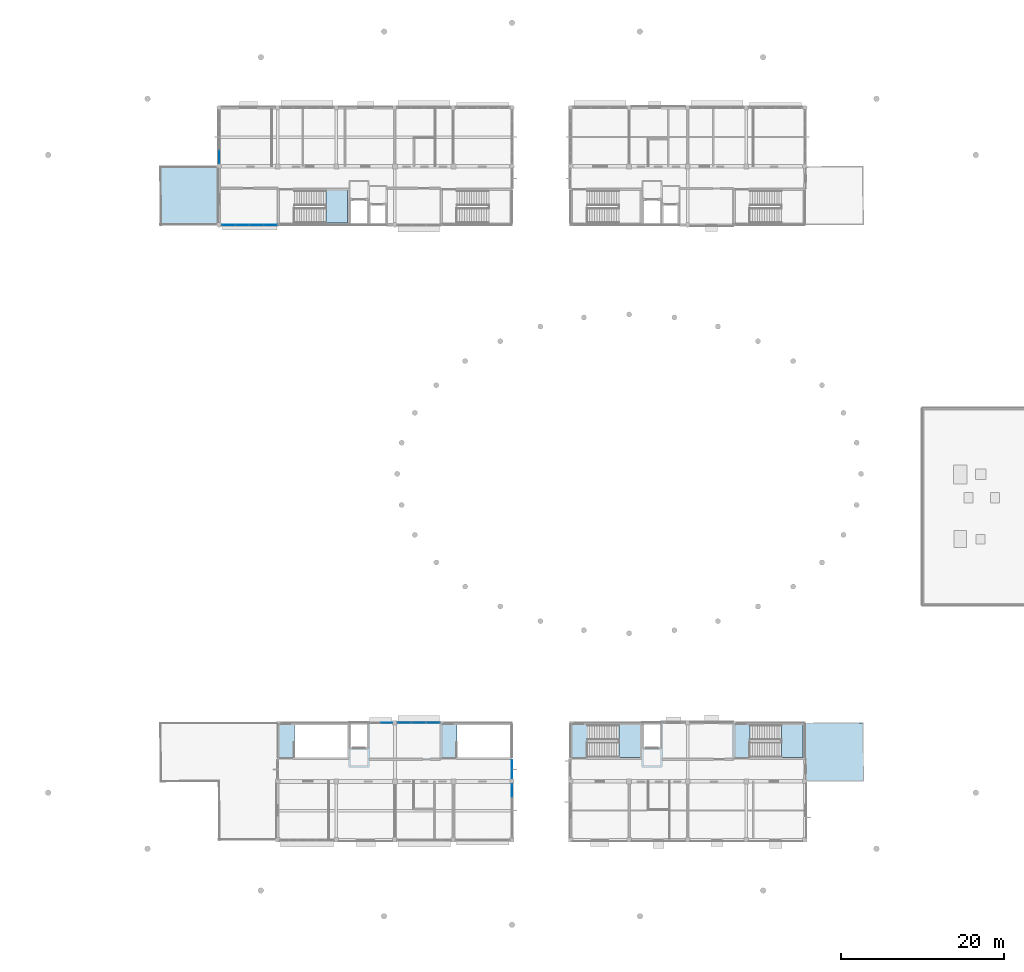
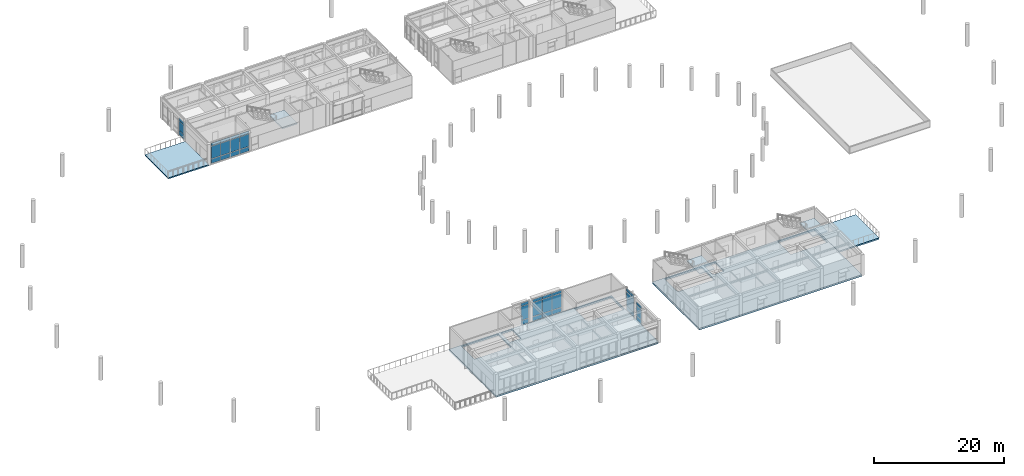
# One storey, part 14 of 41: 33 plates, 7 slabs, 9 elements without a shape of their own.
"""IFC4 building model written with IfcOpenShell, lengths in metres."""

import ifcopenshell
import ifcopenshell.guid

model = None  # the IFC model being written
_history = None  # IfcOwnerHistory: only IFC2X3 demands one
_inside = {}  # id of a spatial element -> (the spatial element, [elements in it])
_under = {}  # id of a project, library or spatial element -> (it, [spatial elements below it])
_declared = {}  # id of a project -> (the project, [libraries it declares])
_typed = {}  # id of a type object -> (the type object, [elements of that type])
_made_of = {}  # id of a material, layer set ... -> (it, [elements and type objects made of it])


def new_model(schema):
    """Start an empty IFC model of exactly this schema.

    Asked for "IFC4X3", IfcOpenShell would pick the latest addendum, in which some entities
    have other attributes; the version numbers below select the first issue.
    IFC2X3 requires an IfcOwnerHistory on every rooted entity: one is made here for all.
    """
    global model, _history
    if schema == "IFC4X3":
        model = ifcopenshell.file(schema_version=(4, 3, 0, 0))
    else:
        model = ifcopenshell.file(schema=schema)
    _inside.clear()
    _under.clear()
    _declared.clear()
    _typed.clear()
    _made_of.clear()
    _history = None
    if model.schema == "IFC2X3":
        org = make("IfcOrganization", Name="unknown")
        user = make(
            "IfcPersonAndOrganization",
            ThePerson=make("IfcPerson", FamilyName="unknown"),
            TheOrganization=org,
        )
        app = make(
            "IfcApplication",
            ApplicationDeveloper=org,
            Version="unknown",
            ApplicationFullName="unknown",
            ApplicationIdentifier="unknown",
        )
        _history = make(
            "IfcOwnerHistory",
            OwningUser=user,
            OwningApplication=app,
            ChangeAction="ADDED",
            CreationDate=0,
        )
    return model


def make(cls, **values):
    """One entity of the class cls with the attributes given. An attribute that is None is left unset."""
    return model.create_entity(
        cls, **{name: value for name, value in values.items() if value is not None}
    )


def rooted(cls, **values):
    """An entity with a GlobalId (a new one), such as an element, a storey or a relation."""
    return make(cls, GlobalId=ifcopenshell.guid.new(), OwnerHistory=_history, **values)


def si_unit(unit_type, name, prefix=None):
    """IfcSIUnit, for example si_unit("LENGTHUNIT", "METRE", prefix="MILLI")."""
    return make("IfcSIUnit", UnitType=unit_type, Prefix=prefix, Name=name)


def assignment(units):
    """IfcUnitAssignment: the units of a project."""
    return None if units is None else make("IfcUnitAssignment", Units=units)


def point(xyz):
    """IfcCartesianPoint."""
    return None if xyz is None else make("IfcCartesianPoint", Coordinates=xyz)


def direction(xyz):
    """IfcDirection."""
    return None if xyz is None else make("IfcDirection", DirectionRatios=xyz)


def frame(location, z_axis=None, x_axis=None):
    """IfcAxis2Placement3D, a coordinate frame: its origin and axes. An axis left out is left unset."""
    return make(
        "IfcAxis2Placement3D",
        Location=point(location),
        Axis=direction(z_axis),
        RefDirection=direction(x_axis),
    )


def frame_2d(location, x_axis=None):
    """IfcAxis2Placement2D, a coordinate frame in the plane: its origin and x axis."""
    return make(
        "IfcAxis2Placement2D", Location=point(location), RefDirection=direction(x_axis)
    )


def origin():
    """The frame at (0, 0, 0) with its axes left unset."""
    return frame((0.0, 0.0, 0.0))


def origin_2d():
    """The frame at (0, 0) in the plane with its x axis left unset."""
    return frame_2d((0.0, 0.0))


def place(relative_to, where):
    """IfcLocalPlacement: puts the frame where relative to a parent placement (None: the world)."""
    return make(
        "IfcLocalPlacement", PlacementRelTo=relative_to, RelativePlacement=where
    )


def context(
    kind, dimensions, precision=None, world=None, true_north=None, identifier=None
):
    """IfcGeometricRepresentationContext, for example the 3D "Model" context."""
    return make(
        "IfcGeometricRepresentationContext",
        ContextIdentifier=identifier,
        ContextType=kind,
        CoordinateSpaceDimension=dimensions,
        Precision=precision,
        WorldCoordinateSystem=world,
        TrueNorth=true_north,
    )


def subcontext(parent, identifier, kind, view, scale=None):
    """IfcGeometricRepresentationSubContext, for example "Body" below "Model"."""
    return make(
        "IfcGeometricRepresentationSubContext",
        ContextIdentifier=identifier,
        ContextType=kind,
        ParentContext=parent,
        TargetScale=scale,
        TargetView=view,
    )


def project(units=None, contexts=None):
    """IfcProject with its units and contexts."""
    return rooted(
        "IfcProject",
        Name="project",
        RepresentationContexts=contexts,
        UnitsInContext=assignment(units),
    )


def spatial(cls, under=None, at=None, **own):
    """A site, building, storey or space (cls), placed at a placement, below another one or the project."""
    s = rooted(cls, ObjectPlacement=at, **own)
    if under is not None:
        _under.setdefault(under.id(), (under, []))[1].append(s)
    return s


def polyline(points):
    """IfcPolyline through the points."""
    return make("IfcPolyline", Points=[point(p) for p in points])


def profile(cls, at=None, kind="AREA", **sizes):
    """A parametric profile (cls). Its sizes go by their IFC names, for example OverallWidth=200.0."""
    return make(cls, ProfileType=kind, Position=at, **sizes)


def rectangle(**sizes):
    """IfcRectangleProfileDef."""
    return profile("IfcRectangleProfileDef", **sizes)


def outline(outer, holes=None, kind="AREA"):
    """IfcArbitraryClosedProfileDef: a profile drawn as a closed curve; with holes, ...WithVoids."""
    if holes is None:
        return make("IfcArbitraryClosedProfileDef", ProfileType=kind, OuterCurve=outer)
    return make(
        "IfcArbitraryProfileDefWithVoids",
        ProfileType=kind,
        OuterCurve=outer,
        InnerCurves=holes,
    )


def extrude(swept, where, along, depth):
    """IfcExtrudedAreaSolid: the profile swept, set in the frame where, extruded along a direction by depth."""
    return make(
        "IfcExtrudedAreaSolid",
        SweptArea=swept,
        Position=where,
        ExtrudedDirection=direction(along),
        Depth=depth,
    )


def shape(context_of_items, identifier, shape_type, items):
    """IfcShapeRepresentation: the items that make up one representation, for example the "Body"."""
    return make(
        "IfcShapeRepresentation",
        ContextOfItems=context_of_items,
        RepresentationIdentifier=identifier,
        RepresentationType=shape_type,
        Items=items,
    )


def material(Name=None, Category=None):
    """IfcMaterial."""
    return make("IfcMaterial", Name=Name, Category=Category)


def layer(
    of_material, thickness, ventilated=None, Name=None, Category=None, Priority=None
):
    """IfcMaterialLayer: one layer of a wall or slab, of a material (None: an air gap)."""
    return make(
        "IfcMaterialLayer",
        Material=of_material,
        LayerThickness=thickness,
        IsVentilated=ventilated,
        Name=Name,
        Category=Category,
        Priority=Priority,
    )


def layer_set(layers, Name=None):
    """IfcMaterialLayerSet."""
    return make("IfcMaterialLayerSet", MaterialLayers=layers, LayerSetName=Name)


def made_of(thing, what):
    """Note that an element or type object is made of a material, layer set ...; save() writes the relation."""
    if what is not None:
        _made_of.setdefault(what.id(), (what, []))[1].append(thing)
    return thing


def type_object(cls, material=None, **own):
    """A type object (cls), such as IfcWallType, which elements share."""
    return made_of(rooted(cls, **own), material)


def element(
    cls,
    number,
    at=None,
    inside=None,
    cuts=None,
    type_object=None,
    material=None,
    context=None,
    identifier="Body",
    shape_type=None,
    held_by="IfcProductDefinitionShape",
    body=None,
    shapes=None,
    **own,
):
    """One element of the class cls, such as IfcWall. Its Tag is "e" and its number.

    at: its placement. inside: the storey or other place that contains it. cuts: it is an
    opening in that element (IfcRelVoidsElement). A single representation is given by context,
    identifier, shape_type and body (its items); several are given by shapes. held_by: the class
    of the entity that holds the representations. save() writes the other relations.
    """
    e = rooted(cls, Tag="e%d" % number, ObjectPlacement=at, **own)
    if body is not None:
        shapes = [shape(context, identifier, shape_type, body)]
    if shapes is not None:
        e.Representation = make(held_by, Representations=shapes)
    if inside is not None:
        _inside.setdefault(inside.id(), (inside, []))[1].append(e)
    if cuts is not None:
        rooted(
            "IfcRelVoidsElement", RelatingBuildingElement=cuts, RelatedOpeningElement=e
        )
    if type_object is not None:
        _typed.setdefault(type_object.id(), (type_object, []))[1].append(e)
    return made_of(e, material)


def aggregate(whole, parts):
    """IfcRelAggregates: a whole, such as a stair, and the parts it consists of."""
    return rooted("IfcRelAggregates", RelatingObject=whole, RelatedObjects=parts)


def save(model, path):
    """Write the relations noted so far, then the file.

    IfcRelAggregates (storeys below a building ...), IfcRelContainedInSpatialStructure (elements
    in a storey), IfcRelDefinesByType, IfcRelAssociatesMaterial and IfcRelDeclares: one each for
    every whole, place, type object, material and project.
    """
    for whole, parts in _under.values():
        aggregate(whole, parts)
    for where, things in _inside.values():
        rooted(
            "IfcRelContainedInSpatialStructure",
            RelatedElements=things,
            RelatingStructure=where,
        )
    for kind, things in _typed.values():
        rooted("IfcRelDefinesByType", RelatedObjects=things, RelatingType=kind)
    for what, things in _made_of.values():
        rooted("IfcRelAssociatesMaterial", RelatedObjects=things, RelatingMaterial=what)
    for by, libraries in _declared.values():
        rooted("IfcRelDeclares", RelatingContext=by, RelatedDefinitions=libraries)
    model.write(path)


model = new_model("IFC4")

# Units and contexts
model_context = context("Model", 3, precision=1e-05, world=origin(), true_north=direction((0.0, 1.0)))
body_context = subcontext(model_context, "Body", "Model", "MODEL_VIEW")
ifc_project = project(units=[si_unit("LENGTHUNIT", "METRE"), si_unit("AREAUNIT", "SQUARE_METRE"), si_unit("VOLUMEUNIT", "CUBIC_METRE"), si_unit("PLANEANGLEUNIT", "RADIAN"), si_unit("MASSUNIT", "GRAM", prefix="KILO")], contexts=[model_context])

# Site, building, storey
site_placement = place(None, origin())
site = spatial("IfcSite", under=ifc_project, at=site_placement, CompositionType="ELEMENT")
building_placement = place(site_placement, origin())
building = spatial("IfcBuilding", under=site, at=building_placement, Name="Namkhue Oval Health Centre", CompositionType="ELEMENT")
storey_placement = place(building_placement, frame((0.0, 0.0, 13.800048828125)))
storey = spatial("IfcBuildingStorey", under=building, at=storey_placement, Name="L03", CompositionType="ELEMENT", Elevation=13.800048828125)

# Curtain wall, plates
ifc_material_1 = material(Name="Anodised aluminium EN AW-6063 T6", Category="aluminium")
ifc_layer_1 = layer(ifc_material_1, 0.159912109375)
ifc_layer_set_1 = layer_set([ifc_layer_1], Name="Anodised aluminium EN AW-6063 T6")
curtain_wall_type_1 = type_object("IfcCurtainWallType", Name="UNITISED CURTAIN WALL M1800", PredefinedType="NOTDEFINED", material=ifc_layer_set_1)
curtain_wall_1_placement = place(storey_placement, origin())
curtain_wall_1 = element("IfcCurtainWall", 1, at=curtain_wall_1_placement, inside=storey, type_object=curtain_wall_type_1, Name="Volume V2 L03 Unitised Curtain Wall 77", PredefinedType="NOTDEFINED")
ifc_material_2 = material(Name="Thermally broken low-E laminated double glazing", Category="glass")
ifc_layer_2 = layer(ifc_material_2, 0.02587890625)
ifc_layer_set_2 = layer_set([ifc_layer_2], Name="Thermally broken low-E laminated double glazing")
plate_type_1 = type_object("IfcPlateType", Name="CURTAIN WALL GLAZED PANEL 26", PredefinedType="CURTAIN_PANEL", material=ifc_layer_set_2)
plate_1_placement = place(storey_placement, frame((50.39990234375, 98.3486328125, 0.06494140625), z_axis=(0.0, 0.0, 1.0), x_axis=(0.0, -1.0, 0.0)))
plate_1 = element("IfcPlate", 2, at=plate_1_placement, type_object=plate_type_1, Name="CW-05 panel 4.1", PredefinedType="CURTAIN_PANEL", context=body_context, shape_type="SweptSolid", body=[
    extrude(rectangle(XDim=1.547607421875, YDim=0.02587890625, at=origin_2d()), origin(), (0.0, 0.0, 1.0), 0.802490234375),
])
plate_2_placement = place(storey_placement, frame((50.39990234375, 98.3486328125, 0.932373046875), z_axis=(0.0, 0.0, 1.0), x_axis=(0.0, -1.0, 0.0)))
plate_2 = element("IfcPlate", 3, at=plate_2_placement, type_object=plate_type_1, Name="CW-05 panel 4.2", PredefinedType="CURTAIN_PANEL", context=body_context, shape_type="SweptSolid", body=[
    extrude(rectangle(XDim=1.547607421875, YDim=0.02587890625, at=origin_2d()), origin(), (0.0, 0.0, 1.0), 1.70703125),
])
plate_3_placement = place(storey_placement, frame((50.39990234375, 98.3486328125, 2.70458984375), z_axis=(0.0, 0.0, 1.0), x_axis=(0.0, -1.0, 0.0)))
plate_3 = element("IfcPlate", 4, at=plate_3_placement, type_object=plate_type_1, Name="CW-05 panel 4.3", PredefinedType="CURTAIN_PANEL", context=body_context, shape_type="SweptSolid", body=[
    extrude(rectangle(XDim=1.547607421875, YDim=0.02587890625, at=origin_2d()), origin(), (0.0, 0.0, 1.0), 0.552490234375),
])
aggregate(curtain_wall_1, [plate_1, plate_2, plate_3])

curtain_wall_2_placement = place(storey_placement, origin())
curtain_wall_2 = element("IfcCurtainWall", 5, at=curtain_wall_2_placement, inside=storey, type_object=curtain_wall_type_1, Name="Volume V4 L03 Unitised Curtain Wall 173", PredefinedType="NOTDEFINED")
plate_4_placement = place(storey_placement, frame((86.39990234375, 23.08447265625, 0.06494140625), z_axis=(0.0, 0.0, 1.0), x_axis=(0.0, 1.0, 0.0)))
plate_4 = element("IfcPlate", 6, at=plate_4_placement, type_object=plate_type_1, Name="CW-05 panel 1.1", PredefinedType="CURTAIN_PANEL", context=body_context, shape_type="SweptSolid", body=[
    extrude(rectangle(XDim=2.26708984375, YDim=0.02587890625, at=origin_2d()), origin(), (0.0, 0.0, 1.0), 0.802490234375),
])
plate_5_placement = place(storey_placement, frame((86.39990234375, 23.08447265625, 0.932373046875), z_axis=(0.0, 0.0, 1.0), x_axis=(0.0, 1.0, 0.0)))
plate_5 = element("IfcPlate", 7, at=plate_5_placement, type_object=plate_type_1, Name="CW-05 panel 1.2", PredefinedType="CURTAIN_PANEL", context=body_context, shape_type="SweptSolid", body=[
    extrude(rectangle(XDim=2.26708984375, YDim=0.02587890625, at=origin_2d()), origin(), (0.0, 0.0, 1.0), 2.5849609375),
])
plate_6_placement = place(storey_placement, frame((86.39990234375, 23.08447265625, 3.58251953125), z_axis=(0.0, 0.0, 1.0), x_axis=(0.0, 1.0, 0.0)))
plate_6 = element("IfcPlate", 8, at=plate_6_placement, type_object=plate_type_1, Name="CW-05 panel 1.3", PredefinedType="CURTAIN_PANEL", context=body_context, shape_type="SweptSolid", body=[
    extrude(rectangle(XDim=2.26708984375, YDim=0.02587890625, at=origin_2d()), origin(), (0.0, 0.0, 1.0), 0.552490234375),
])
aggregate(curtain_wall_2, [plate_4, plate_5, plate_6])

ifc_layer_3 = layer(ifc_material_1, 0.159912109375)
ifc_layer_set_3 = layer_set([ifc_layer_3], Name="Anodised aluminium EN AW-6063 T6")
curtain_wall_type_2 = type_object("IfcCurtainWallType", Name="UNITISED CURTAIN WALL M1600", PredefinedType="NOTDEFINED", material=ifc_layer_set_3)
curtain_wall_3_placement = place(storey_placement, origin())
curtain_wall_3 = element("IfcCurtainWall", 9, at=curtain_wall_3_placement, inside=storey, type_object=curtain_wall_type_2, Name="Volume V2 L03 Unitised Curtain Wall 70", PredefinedType="NOTDEFINED")
ifc_layer_4 = layer(ifc_material_2, 0.028076171875)
ifc_layer_set_4 = layer_set([ifc_layer_4], Name="Thermally broken low-E laminated double glazing")
plate_type_2 = type_object("IfcPlateType", Name="CURTAIN WALL GLAZED PANEL 28", PredefinedType="CURTAIN_PANEL", material=ifc_layer_set_4)
plate_7_placement = place(storey_placement, frame((51.587890625, 90.0, 0.074951171875), z_axis=(0.0, 0.0, 1.0), x_axis=(1.0, 0.0, 0.0)))
plate_7 = element("IfcPlate", 10, at=plate_7_placement, type_object=plate_type_2, Name="CW-04 panel 1.1", PredefinedType="CURTAIN_PANEL", context=body_context, shape_type="SweptSolid", body=[
    extrude(rectangle(XDim=1.605712890625, YDim=0.028076171875, at=origin_2d()), origin(), (0.0, 0.0, 1.0), 0.78759765625),
])
plate_8_placement = place(storey_placement, frame((51.587890625, 90.0, 0.9375), z_axis=(0.0, 0.0, 1.0), x_axis=(1.0, 0.0, 0.0)))
plate_8 = element("IfcPlate", 11, at=plate_8_placement, type_object=plate_type_2, Name="CW-04 panel 1.2", PredefinedType="CURTAIN_PANEL", context=body_context, shape_type="SweptSolid", body=[
    extrude(rectangle(XDim=1.605712890625, YDim=0.028076171875, at=origin_2d()), origin(), (0.0, 0.0, 1.0), 2.320068359375),
])
plate_9_placement = place(storey_placement, frame((51.587890625, 90.0, 3.33251953125), z_axis=(0.0, 0.0, 1.0), x_axis=(1.0, 0.0, 0.0)))
plate_9 = element("IfcPlate", 12, at=plate_9_placement, type_object=plate_type_2, Name="CW-04 panel 1.3", PredefinedType="CURTAIN_PANEL", context=body_context, shape_type="SweptSolid", body=[
    extrude(rectangle(XDim=1.605712890625, YDim=0.028076171875, at=origin_2d()), origin(), (0.0, 0.0, 1.0), 0.53759765625),
])
plate_10_placement = place(storey_placement, frame((53.287353515625, 90.0, 0.074951171875), z_axis=(0.0, 0.0, 1.0), x_axis=(1.0, 0.0, 0.0)))
plate_10 = element("IfcPlate", 13, at=plate_10_placement, type_object=plate_type_2, Name="CW-04 panel 2.1", PredefinedType="CURTAIN_PANEL", context=body_context, shape_type="SweptSolid", body=[
    extrude(rectangle(XDim=1.643310546875, YDim=0.028076171875, at=origin_2d()), origin(), (0.0, 0.0, 1.0), 0.78759765625),
])
plate_11_placement = place(storey_placement, frame((53.287353515625, 90.0, 0.9375), z_axis=(0.0, 0.0, 1.0), x_axis=(1.0, 0.0, 0.0)))
plate_11 = element("IfcPlate", 14, at=plate_11_placement, type_object=plate_type_2, Name="CW-04 panel 2.2", PredefinedType="CURTAIN_PANEL", context=body_context, shape_type="SweptSolid", body=[
    extrude(rectangle(XDim=1.643310546875, YDim=0.028076171875, at=origin_2d()), origin(), (0.0, 0.0, 1.0), 2.320068359375),
])
plate_12_placement = place(storey_placement, frame((53.287353515625, 90.0, 3.33251953125), z_axis=(0.0, 0.0, 1.0), x_axis=(1.0, 0.0, 0.0)))
plate_12 = element("IfcPlate", 15, at=plate_12_placement, type_object=plate_type_2, Name="CW-04 panel 2.3", PredefinedType="CURTAIN_PANEL", context=body_context, shape_type="SweptSolid", body=[
    extrude(rectangle(XDim=1.643310546875, YDim=0.028076171875, at=origin_2d()), origin(), (0.0, 0.0, 1.0), 0.53759765625),
])
plate_13_placement = place(storey_placement, frame((55.005615234375, 90.0, 0.074951171875), z_axis=(0.0, 0.0, 1.0), x_axis=(1.0, 0.0, 0.0)))
plate_13 = element("IfcPlate", 16, at=plate_13_placement, type_object=plate_type_2, Name="CW-04 panel 3.1", PredefinedType="CURTAIN_PANEL", context=body_context, shape_type="SweptSolid", body=[
    extrude(rectangle(XDim=1.643310546875, YDim=0.028076171875, at=origin_2d()), origin(), (0.0, 0.0, 1.0), 0.78759765625),
])
plate_14_placement = place(storey_placement, frame((55.005615234375, 90.0, 0.9375), z_axis=(0.0, 0.0, 1.0), x_axis=(1.0, 0.0, 0.0)))
plate_14 = element("IfcPlate", 17, at=plate_14_placement, type_object=plate_type_2, Name="CW-04 panel 3.2", PredefinedType="CURTAIN_PANEL", context=body_context, shape_type="SweptSolid", body=[
    extrude(rectangle(XDim=1.643310546875, YDim=0.028076171875, at=origin_2d()), origin(), (0.0, 0.0, 1.0), 2.320068359375),
])
plate_15_placement = place(storey_placement, frame((55.005615234375, 90.0, 3.33251953125), z_axis=(0.0, 0.0, 1.0), x_axis=(1.0, 0.0, 0.0)))
plate_15 = element("IfcPlate", 18, at=plate_15_placement, type_object=plate_type_2, Name="CW-04 panel 3.3", PredefinedType="CURTAIN_PANEL", context=body_context, shape_type="SweptSolid", body=[
    extrude(rectangle(XDim=1.643310546875, YDim=0.028076171875, at=origin_2d()), origin(), (0.0, 0.0, 1.0), 0.53759765625),
])
plate_16_placement = place(storey_placement, frame((56.705078125, 90.0, 0.074951171875), z_axis=(0.0, 0.0, 1.0), x_axis=(1.0, 0.0, 0.0)))
plate_16 = element("IfcPlate", 19, at=plate_16_placement, type_object=plate_type_2, Name="CW-04 panel 4.1", PredefinedType="CURTAIN_PANEL", context=body_context, shape_type="SweptSolid", body=[
    extrude(rectangle(XDim=1.605712890625, YDim=0.028076171875, at=origin_2d()), origin(), (0.0, 0.0, 1.0), 0.78759765625),
])
plate_17_placement = place(storey_placement, frame((56.705078125, 90.0, 0.9375), z_axis=(0.0, 0.0, 1.0), x_axis=(1.0, 0.0, 0.0)))
plate_17 = element("IfcPlate", 20, at=plate_17_placement, type_object=plate_type_2, Name="CW-04 panel 4.2", PredefinedType="CURTAIN_PANEL", context=body_context, shape_type="SweptSolid", body=[
    extrude(rectangle(XDim=1.605712890625, YDim=0.028076171875, at=origin_2d()), origin(), (0.0, 0.0, 1.0), 2.320068359375),
])
plate_18_placement = place(storey_placement, frame((56.705078125, 90.0, 3.33251953125), z_axis=(0.0, 0.0, 1.0), x_axis=(1.0, 0.0, 0.0)))
plate_18 = element("IfcPlate", 21, at=plate_18_placement, type_object=plate_type_2, Name="CW-04 panel 4.3", PredefinedType="CURTAIN_PANEL", context=body_context, shape_type="SweptSolid", body=[
    extrude(rectangle(XDim=1.605712890625, YDim=0.028076171875, at=origin_2d()), origin(), (0.0, 0.0, 1.0), 0.53759765625),
])
aggregate(curtain_wall_3, [plate_7, plate_8, plate_9, plate_10, plate_11, plate_12, plate_13, plate_14, plate_15, plate_16, plate_17, plate_18])

ifc_layer_5 = layer(ifc_material_1, 0.159912109375)
ifc_layer_set_5 = layer_set([ifc_layer_5], Name="Anodised aluminium EN AW-6063 T6")
curtain_wall_type_3 = type_object("IfcCurtainWallType", Name="UNITISED CURTAIN WALL M2000", PredefinedType="NOTDEFINED", material=ifc_layer_set_5)
curtain_wall_4_placement = place(storey_placement, origin())
curtain_wall_4 = element("IfcCurtainWall", 22, at=curtain_wall_4_placement, inside=storey, type_object=curtain_wall_type_3, Name="Volume V4 L03 Unitised Curtain Wall 174", PredefinedType="NOTDEFINED")
plate_19_placement = place(storey_placement, frame((76.681396484375, 28.800048828125, 0.074951171875), z_axis=(0.0, 0.0, 1.0), x_axis=(-1.0, 0.0, 0.0)))
plate_19 = element("IfcPlate", 23, at=plate_19_placement, type_object=plate_type_2, Name="CW-06 panel 1.1", PredefinedType="CURTAIN_PANEL", context=body_context, shape_type="SweptSolid", body=[
    extrude(rectangle(XDim=1.653076171875, YDim=0.028076171875, at=origin_2d()), origin(), (0.0, 0.0, 1.0), 0.78759765625),
])
plate_20_placement = place(storey_placement, frame((76.681396484375, 28.800048828125, 0.9375), z_axis=(0.0, 0.0, 1.0), x_axis=(-1.0, 0.0, 0.0)))
plate_20 = element("IfcPlate", 24, at=plate_20_placement, type_object=plate_type_2, Name="CW-06 panel 1.2", PredefinedType="CURTAIN_PANEL", context=body_context, shape_type="SweptSolid", body=[
    extrude(rectangle(XDim=1.653076171875, YDim=0.028076171875, at=origin_2d()), origin(), (0.0, 0.0, 1.0), 2.574951171875),
])
plate_21_placement = place(storey_placement, frame((76.681396484375, 28.800048828125, 3.58740234375), z_axis=(0.0, 0.0, 1.0), x_axis=(-1.0, 0.0, 0.0)))
plate_21 = element("IfcPlate", 25, at=plate_21_placement, type_object=plate_type_2, Name="CW-06 panel 1.3", PredefinedType="CURTAIN_PANEL", context=body_context, shape_type="SweptSolid", body=[
    extrude(rectangle(XDim=1.653076171875, YDim=0.028076171875, at=origin_2d()), origin(), (0.0, 0.0, 1.0), 0.53759765625),
])
plate_22_placement = place(storey_placement, frame((74.9345703125, 28.800048828125, 0.074951171875), z_axis=(0.0, 0.0, 1.0), x_axis=(-1.0, 0.0, 0.0)))
plate_22 = element("IfcPlate", 26, at=plate_22_placement, type_object=plate_type_2, Name="CW-06 panel 2.1", PredefinedType="CURTAIN_PANEL", context=body_context, shape_type="SweptSolid", body=[
    extrude(rectangle(XDim=1.690673828125, YDim=0.028076171875, at=origin_2d()), origin(), (0.0, 0.0, 1.0), 0.78759765625),
])
plate_23_placement = place(storey_placement, frame((74.9345703125, 28.800048828125, 0.9375), z_axis=(0.0, 0.0, 1.0), x_axis=(-1.0, 0.0, 0.0)))
plate_23 = element("IfcPlate", 27, at=plate_23_placement, type_object=plate_type_2, Name="CW-06 panel 2.2", PredefinedType="CURTAIN_PANEL", context=body_context, shape_type="SweptSolid", body=[
    extrude(rectangle(XDim=1.690673828125, YDim=0.028076171875, at=origin_2d()), origin(), (0.0, 0.0, 1.0), 2.574951171875),
])
plate_24_placement = place(storey_placement, frame((74.9345703125, 28.800048828125, 3.58740234375), z_axis=(0.0, 0.0, 1.0), x_axis=(-1.0, 0.0, 0.0)))
plate_24 = element("IfcPlate", 28, at=plate_24_placement, type_object=plate_type_2, Name="CW-06 panel 2.3", PredefinedType="CURTAIN_PANEL", context=body_context, shape_type="SweptSolid", body=[
    extrude(rectangle(XDim=1.690673828125, YDim=0.028076171875, at=origin_2d()), origin(), (0.0, 0.0, 1.0), 0.53759765625),
])
plate_25_placement = place(storey_placement, frame((73.1875, 28.800048828125, 0.074951171875), z_axis=(0.0, 0.0, 1.0), x_axis=(-1.0, 0.0, 0.0)))
plate_25 = element("IfcPlate", 29, at=plate_25_placement, type_object=plate_type_2, Name="CW-06 panel 3.1", PredefinedType="CURTAIN_PANEL", context=body_context, shape_type="SweptSolid", body=[
    extrude(rectangle(XDim=1.653076171875, YDim=0.028076171875, at=origin_2d()), origin(), (0.0, 0.0, 1.0), 0.78759765625),
])
plate_26_placement = place(storey_placement, frame((73.1875, 28.800048828125, 0.9375), z_axis=(0.0, 0.0, 1.0), x_axis=(-1.0, 0.0, 0.0)))
plate_26 = element("IfcPlate", 30, at=plate_26_placement, type_object=plate_type_2, Name="CW-06 panel 3.2", PredefinedType="CURTAIN_PANEL", context=body_context, shape_type="SweptSolid", body=[
    extrude(rectangle(XDim=1.653076171875, YDim=0.028076171875, at=origin_2d()), origin(), (0.0, 0.0, 1.0), 2.574951171875),
])
plate_27_placement = place(storey_placement, frame((73.1875, 28.800048828125, 3.58740234375), z_axis=(0.0, 0.0, 1.0), x_axis=(-1.0, 0.0, 0.0)))
plate_27 = element("IfcPlate", 31, at=plate_27_placement, type_object=plate_type_2, Name="CW-06 panel 3.3", PredefinedType="CURTAIN_PANEL", context=body_context, shape_type="SweptSolid", body=[
    extrude(rectangle(XDim=1.653076171875, YDim=0.028076171875, at=origin_2d()), origin(), (0.0, 0.0, 1.0), 0.53759765625),
])
aggregate(curtain_wall_4, [plate_19, plate_20, plate_21, plate_22, plate_23, plate_24, plate_25, plate_26, plate_27])

ifc_layer_6 = layer(ifc_material_1, 0.159912109375)
ifc_layer_set_6 = layer_set([ifc_layer_6], Name="Anodised aluminium EN AW-6063 T6")
curtain_wall_type_4 = type_object("IfcCurtainWallType", Name="UNITISED CURTAIN WALL M1200", PredefinedType="NOTDEFINED", material=ifc_layer_set_6)
curtain_wall_5_placement = place(storey_placement, origin())
curtain_wall_5 = element("IfcCurtainWall", 32, at=curtain_wall_5_placement, inside=storey, type_object=curtain_wall_type_4, Name="Volume V4 L03 Unitised Curtain Wall 175", PredefinedType="NOTDEFINED")
ifc_material_3 = material(Name="Insulated anodised aluminium spandrel panel", Category="aluminium")
ifc_layer_7 = layer(ifc_material_3, 0.031982421875)
ifc_layer_set_7 = layer_set([ifc_layer_7], Name="Insulated anodised aluminium spandrel panel")
plate_type_3 = type_object("IfcPlateType", Name="CURTAIN WALL SPANDREL PANEL 32", PredefinedType="CURTAIN_PANEL", material=ifc_layer_set_7)
plate_28_placement = place(storey_placement, frame((70.973388671875, 28.800048828125, 0.06494140625), z_axis=(0.0, 0.0, 1.0), x_axis=(-1.0, 0.0, 0.0)))
plate_28 = element("IfcPlate", 33, at=plate_28_placement, type_object=plate_type_3, Name="CW-01 panel 1.1", PredefinedType="CURTAIN_PANEL", context=body_context, shape_type="SweptSolid", body=[
    extrude(rectangle(XDim=1.35107421875, YDim=0.031982421875, at=origin_2d()), origin(), (0.0, 0.0, 1.0), 0.802490234375),
])
plate_29_placement = place(storey_placement, frame((70.973388671875, 28.800048828125, 0.932373046875), z_axis=(0.0, 0.0, 1.0), x_axis=(-1.0, 0.0, 0.0)))
plate_29 = element("IfcPlate", 34, at=plate_29_placement, type_object=plate_type_3, Name="CW-01 panel 1.2", PredefinedType="CURTAIN_PANEL", context=body_context, shape_type="SweptSolid", body=[
    extrude(rectangle(XDim=1.35107421875, YDim=0.031982421875, at=origin_2d()), origin(), (0.0, 0.0, 1.0), 2.5849609375),
])
plate_30_placement = place(storey_placement, frame((70.973388671875, 28.800048828125, 3.58251953125), z_axis=(0.0, 0.0, 1.0), x_axis=(-1.0, 0.0, 0.0)))
plate_30 = element("IfcPlate", 35, at=plate_30_placement, type_object=plate_type_3, Name="CW-01 panel 1.3", PredefinedType="CURTAIN_PANEL", context=body_context, shape_type="SweptSolid", body=[
    extrude(rectangle(XDim=1.35107421875, YDim=0.031982421875, at=origin_2d()), origin(), (0.0, 0.0, 1.0), 0.552490234375),
])
aggregate(curtain_wall_5, [plate_28, plate_29, plate_30])

curtain_wall_6_placement = place(storey_placement, origin())
curtain_wall_6 = element("IfcCurtainWall", 36, at=curtain_wall_6_placement, inside=storey, type_object=curtain_wall_type_2, Name="Volume V4 L03 Unitised Curtain Wall 172", PredefinedType="NOTDEFINED")
ifc_layer_8 = layer(ifc_material_3, 0.035888671875)
ifc_layer_set_8 = layer_set([ifc_layer_8], Name="Insulated anodised aluminium spandrel panel")
plate_type_4 = type_object("IfcPlateType", Name="CURTAIN WALL SPANDREL PANEL 36", PredefinedType="CURTAIN_PANEL", material=ifc_layer_set_8)
plate_31_placement = place(storey_placement, frame((86.39990234375, 20.466796875, 0.074951171875), z_axis=(0.0, 0.0, 1.0), x_axis=(0.0, 1.0, 0.0)))
plate_31 = element("IfcPlate", 37, at=plate_31_placement, type_object=plate_type_4, Name="CW-04 panel 4.1", PredefinedType="CURTAIN_PANEL", context=body_context, shape_type="SweptSolid", body=[
    extrude(rectangle(XDim=1.54443359375, YDim=0.035888671875, at=origin_2d()), origin(), (0.0, 0.0, 1.0), 0.78759765625),
])
plate_32_placement = place(storey_placement, frame((86.39990234375, 20.466796875, 0.9375), z_axis=(0.0, 0.0, 1.0), x_axis=(0.0, 1.0, 0.0)))
plate_32 = element("IfcPlate", 38, at=plate_32_placement, type_object=plate_type_4, Name="CW-04 panel 4.2", PredefinedType="CURTAIN_PANEL", context=body_context, shape_type="SweptSolid", body=[
    extrude(rectangle(XDim=1.54443359375, YDim=0.035888671875, at=origin_2d()), origin(), (0.0, 0.0, 1.0), 1.925048828125),
])
plate_33_placement = place(storey_placement, frame((86.39990234375, 20.466796875, 2.9375), z_axis=(0.0, 0.0, 1.0), x_axis=(0.0, 1.0, 0.0)))
plate_33 = element("IfcPlate", 39, at=plate_33_placement, type_object=plate_type_4, Name="CW-04 panel 4.3", PredefinedType="CURTAIN_PANEL", context=body_context, shape_type="SweptSolid", body=[
    extrude(rectangle(XDim=1.54443359375, YDim=0.035888671875, at=origin_2d()), origin(), (0.0, 0.0, 1.0), 0.53759765625),
])
aggregate(curtain_wall_6, [plate_31, plate_32, plate_33])

# Slabs
ifc_material_4 = material(Name="Reinforced concrete C30/37 (TCVN B35)", Category="concrete")
ifc_layer_9 = layer(ifc_material_4, 0.221923828125)
ifc_layer_set_9 = layer_set([ifc_layer_9], Name="Reinforced concrete C30/37 (TCVN B35)")
slab_type_1 = type_object("IfcSlabType", Name="EXTERIOR TERRACE SLAB 222", PredefinedType="FLOOR", material=ifc_layer_set_9)
slab_1_placement = place(storey_placement, frame((0.0, 0.0, -0.22216796875)))
element("IfcSlab", 40, at=slab_1_placement, inside=storey, type_object=slab_type_1, Name="Volume V2 L03 Exterior Roof Terrace Slab", PredefinedType="FLOOR", context=body_context, shape_type="SweptSolid", body=[
    extrude(outline(polyline([(43.199951171875, 90.0), (50.39990234375, 90.0), (50.39990234375, 97.199951171875), (43.199951171875, 97.199951171875), (43.199951171875, 90.0)])), origin(), (0.0, 0.0, 1.0), 0.22216796875),
])
ifc_layer_10 = layer(ifc_material_4, 0.26806640625)
ifc_layer_set_10 = layer_set([ifc_layer_10], Name="Reinforced concrete C30/37 (TCVN B35)")
slab_type_2 = type_object("IfcSlabType", Name="EXTERIOR TERRACE SLAB 268", PredefinedType="FLOOR", material=ifc_layer_set_10)
slab_2_placement = place(storey_placement, frame((0.0, 0.0, -0.26806640625)))
element("IfcSlab", 41, at=slab_2_placement, inside=storey, type_object=slab_type_2, Name="Volume V5 L03 Exterior Roof Terrace Slab", PredefinedType="FLOOR", context=body_context, shape_type="SweptSolid", body=[
    extrude(outline(polyline([(122.39990234375, 21.60009765625), (129.60009765625, 21.60009765625), (129.60009765625, 28.800048828125), (122.39990234375, 28.800048828125), (122.39990234375, 21.60009765625)])), origin(), (0.0, 0.0, 1.0), 0.26806640625),
])

# Stair, slab
stair_type = type_object("IfcStairType", Name="DOGLEG EXIT STAIR H4200", PredefinedType="HALF_TURN_STAIR", material=ifc_material_4)
stair_1_placement = place(storey_placement, origin())
stair_1 = element("IfcStair", 42, at=stair_1_placement, inside=storey, type_object=stair_type, Name="Protected Exit Stair ST-03 L03", PredefinedType="HALF_TURN_STAIR")
ifc_layer_11 = layer(ifc_material_4, 0.195068359375)
ifc_layer_set_11 = layer_set([ifc_layer_11], Name="Reinforced concrete C30/37 (TCVN B35)")
slab_type_3 = type_object("IfcSlabType", Name="STAIR LANDING SLAB 195", PredefinedType="LANDING", material=ifc_layer_set_11)
slab_3_placement = place(storey_placement, frame((0.0, 0.0, 1.905029296875)))
slab_3 = element("IfcSlab", 43, at=slab_3_placement, type_object=slab_type_3, Name="ST-03 landing 1", PredefinedType="LANDING", context=body_context, shape_type="SweptSolid", body=[
    extrude(outline(polyline([(63.544921875, 90.22509765625), (66.175048828125, 90.22509765625), (66.175048828125, 94.27490234375), (63.544921875, 94.27490234375), (63.544921875, 90.22509765625)])), origin(), (0.0, 0.0, 1.0), 0.19482421875),
])
aggregate(stair_1, [slab_3])

stair_2_placement = place(storey_placement, origin())
stair_2 = element("IfcStair", 44, at=stair_2_placement, inside=storey, type_object=stair_type, Name="Protected Exit Stair ST-09 L03", PredefinedType="HALF_TURN_STAIR")
slab_4_placement = place(storey_placement, frame((0.0, 0.0, 1.905029296875)))
slab_4 = element("IfcSlab", 45, at=slab_4_placement, type_object=slab_type_3, Name="ST-09 landing 1", PredefinedType="LANDING", context=body_context, shape_type="SweptSolid", body=[
    extrude(outline(polyline([(99.544921875, 24.52490234375), (102.175048828125, 24.52490234375), (102.175048828125, 28.574951171875), (99.544921875, 28.574951171875), (99.544921875, 24.52490234375)])), origin(), (0.0, 0.0, 1.0), 0.19482421875),
])
aggregate(stair_2, [slab_4])

stair_3_placement = place(storey_placement, origin())
stair_3 = element("IfcStair", 46, at=stair_3_placement, inside=storey, type_object=stair_type, Name="Protected Exit Stair ST-10 L03", PredefinedType="HALF_TURN_STAIR")
slab_5_placement = place(storey_placement, frame((0.0, 0.0, 1.905029296875)))
slab_5 = element("IfcSlab", 47, at=slab_5_placement, type_object=slab_type_3, Name="ST-10 landing 1", PredefinedType="LANDING", context=body_context, shape_type="SweptSolid", body=[
    extrude(outline(polyline([(119.544921875, 24.52490234375), (122.175048828125, 24.52490234375), (122.175048828125, 28.574951171875), (119.544921875, 28.574951171875), (119.544921875, 24.52490234375)])), origin(), (0.0, 0.0, 1.0), 0.19482421875),
])
aggregate(stair_3, [slab_5])

# Slabs
ifc_material_5 = material(Name="Reinforced concrete C35/45 (TCVN B40)", Category="concrete")
ifc_layer_12 = layer(ifc_material_5, 0.300048828125)
ifc_layer_set_12 = layer_set([ifc_layer_12], Name="Reinforced concrete C35/45 (TCVN B40)")
slab_type_4 = type_object("IfcSlabType", Name="SUSPENDED FLOOR SLAB 300", PredefinedType="FLOOR", material=ifc_layer_set_12)
slab_6_placement = place(storey_placement, frame((0.0, 0.0, -0.300048828125)))
element("IfcSlab", 48, at=slab_6_placement, inside=storey, type_object=slab_type_4, Name="Volume V4 L03 Suspended Floor Slab", PredefinedType="FLOOR", context=body_context, shape_type="SweptSolid", body=[
    extrude(outline(polyline([(57.60009765625, 14.39990234375), (86.39990234375, 14.39990234375), (86.39990234375, 28.800048828125), (57.60009765625, 28.800048828125), (57.60009765625, 14.39990234375)]), holes=[polyline([(59.655029296875, 24.550048828125), (66.14990234375, 24.550048828125), (66.14990234375, 28.550048828125), (59.655029296875, 28.550048828125), (59.655029296875, 24.550048828125)]), polyline([(79.655029296875, 24.550048828125), (86.14990234375, 24.550048828125), (86.14990234375, 28.550048828125), (79.655029296875, 28.550048828125), (79.655029296875, 24.550048828125)]), polyline([(66.60009765625, 25.800048828125), (68.60009765625, 25.800048828125), (68.60009765625, 28.60009765625), (66.60009765625, 28.60009765625), (66.60009765625, 25.800048828125)])]), origin(), (0.0, 0.0, 1.0), 0.300048828125),
])
ifc_layer_13 = layer(ifc_material_5, 0.31494140625)
ifc_layer_set_13 = layer_set([ifc_layer_13], Name="Reinforced concrete C35/45 (TCVN B40)")
slab_type_5 = type_object("IfcSlabType", Name="SUSPENDED FLOOR SLAB 315", PredefinedType="FLOOR", material=ifc_layer_set_13)
slab_7_placement = place(storey_placement, frame((0.0, 0.0, -0.31494140625)))
element("IfcSlab", 49, at=slab_7_placement, inside=storey, type_object=slab_type_5, Name="Volume V5 L03 Suspended Floor Slab", PredefinedType="FLOOR", context=body_context, shape_type="SweptSolid", body=[
    extrude(outline(polyline([(93.60009765625, 14.39990234375), (122.39990234375, 14.39990234375), (122.39990234375, 28.800048828125), (93.60009765625, 28.800048828125), (93.60009765625, 14.39990234375)]), holes=[polyline([(95.655029296875, 24.550048828125), (102.14990234375, 24.550048828125), (102.14990234375, 28.550048828125), (95.655029296875, 28.550048828125), (95.655029296875, 24.550048828125)]), polyline([(115.655029296875, 24.550048828125), (122.14990234375, 24.550048828125), (122.14990234375, 28.550048828125), (115.655029296875, 28.550048828125), (115.655029296875, 24.550048828125)]), polyline([(102.60009765625, 25.800048828125), (104.60009765625, 25.800048828125), (104.60009765625, 28.60009765625), (102.60009765625, 28.60009765625), (102.60009765625, 25.800048828125)])]), origin(), (0.0, 0.0, 1.0), 0.31494140625),
])

save(model, "model.ifc")
